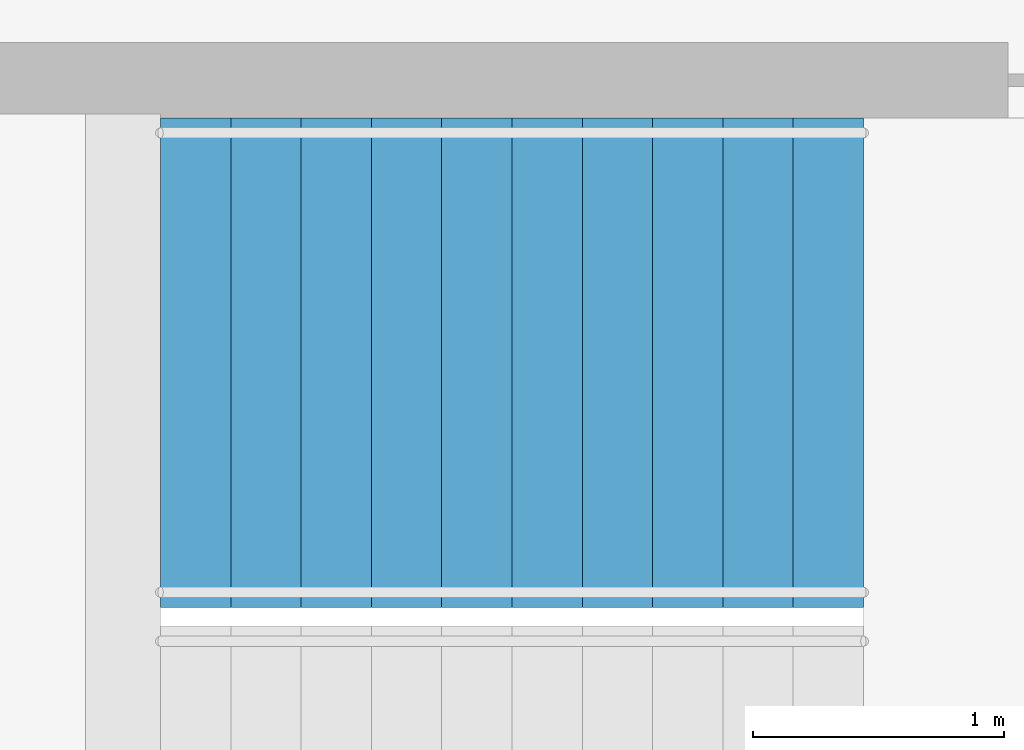
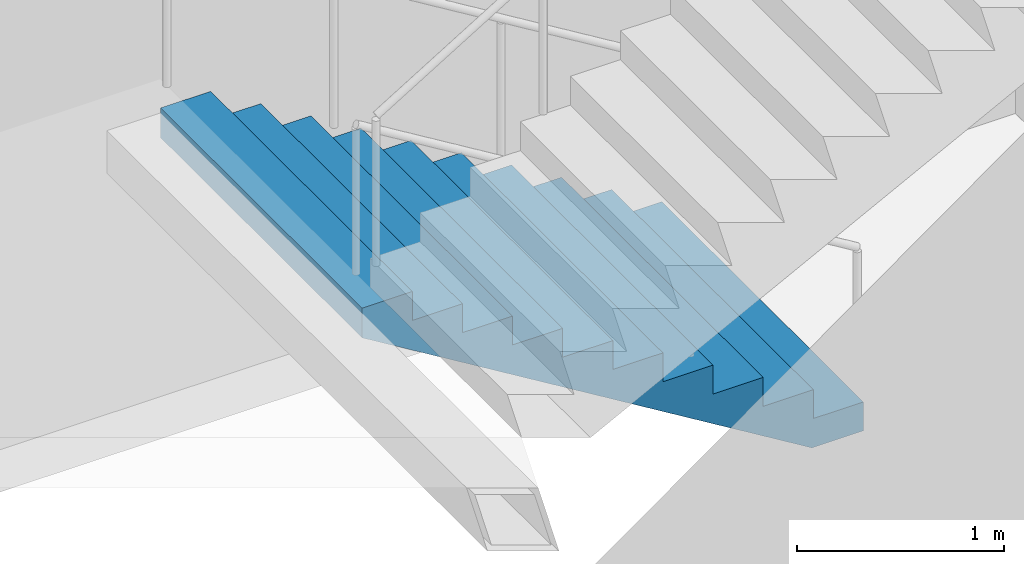
# One storey, part 20 of 21: 1 stair flight, 1 element without a shape of its own.
"""IFC4 building model written with IfcOpenShell, lengths in metres."""

import ifcopenshell
import ifcopenshell.guid

model = None  # the IFC model being written
_history = None  # IfcOwnerHistory: only IFC2X3 demands one
_inside = {}  # id of a spatial element -> (the spatial element, [elements in it])
_under = {}  # id of a project, library or spatial element -> (it, [spatial elements below it])
_declared = {}  # id of a project -> (the project, [libraries it declares])
_typed = {}  # id of a type object -> (the type object, [elements of that type])
_made_of = {}  # id of a material, layer set ... -> (it, [elements and type objects made of it])


def new_model(schema):
    """Start an empty IFC model of exactly this schema.

    Asked for "IFC4X3", IfcOpenShell would pick the latest addendum, in which some entities
    have other attributes; the version numbers below select the first issue.
    IFC2X3 requires an IfcOwnerHistory on every rooted entity: one is made here for all.
    """
    global model, _history
    if schema == "IFC4X3":
        model = ifcopenshell.file(schema_version=(4, 3, 0, 0))
    else:
        model = ifcopenshell.file(schema=schema)
    _inside.clear()
    _under.clear()
    _declared.clear()
    _typed.clear()
    _made_of.clear()
    _history = None
    if model.schema == "IFC2X3":
        org = make("IfcOrganization", Name="unknown")
        user = make(
            "IfcPersonAndOrganization",
            ThePerson=make("IfcPerson", FamilyName="unknown"),
            TheOrganization=org,
        )
        app = make(
            "IfcApplication",
            ApplicationDeveloper=org,
            Version="unknown",
            ApplicationFullName="unknown",
            ApplicationIdentifier="unknown",
        )
        _history = make(
            "IfcOwnerHistory",
            OwningUser=user,
            OwningApplication=app,
            ChangeAction="ADDED",
            CreationDate=0,
        )
    return model


def make(cls, **values):
    """One entity of the class cls with the attributes given. An attribute that is None is left unset."""
    return model.create_entity(
        cls, **{name: value for name, value in values.items() if value is not None}
    )


def rooted(cls, **values):
    """An entity with a GlobalId (a new one), such as an element, a storey or a relation."""
    return make(cls, GlobalId=ifcopenshell.guid.new(), OwnerHistory=_history, **values)


def si_unit(unit_type, name, prefix=None):
    """IfcSIUnit, for example si_unit("LENGTHUNIT", "METRE", prefix="MILLI")."""
    return make("IfcSIUnit", UnitType=unit_type, Prefix=prefix, Name=name)


def assignment(units):
    """IfcUnitAssignment: the units of a project."""
    return None if units is None else make("IfcUnitAssignment", Units=units)


def point(xyz):
    """IfcCartesianPoint."""
    return None if xyz is None else make("IfcCartesianPoint", Coordinates=xyz)


def direction(xyz):
    """IfcDirection."""
    return None if xyz is None else make("IfcDirection", DirectionRatios=xyz)


def frame(location, z_axis=None, x_axis=None):
    """IfcAxis2Placement3D, a coordinate frame: its origin and axes. An axis left out is left unset."""
    return make(
        "IfcAxis2Placement3D",
        Location=point(location),
        Axis=direction(z_axis),
        RefDirection=direction(x_axis),
    )


def origin():
    """The frame at (0, 0, 0) with its axes left unset."""
    return frame((0.0, 0.0, 0.0))


def place(relative_to, where):
    """IfcLocalPlacement: puts the frame where relative to a parent placement (None: the world)."""
    return make(
        "IfcLocalPlacement", PlacementRelTo=relative_to, RelativePlacement=where
    )


def context(
    kind, dimensions, precision=None, world=None, true_north=None, identifier=None
):
    """IfcGeometricRepresentationContext, for example the 3D "Model" context."""
    return make(
        "IfcGeometricRepresentationContext",
        ContextIdentifier=identifier,
        ContextType=kind,
        CoordinateSpaceDimension=dimensions,
        Precision=precision,
        WorldCoordinateSystem=world,
        TrueNorth=true_north,
    )


def subcontext(parent, identifier, kind, view, scale=None):
    """IfcGeometricRepresentationSubContext, for example "Body" below "Model"."""
    return make(
        "IfcGeometricRepresentationSubContext",
        ContextIdentifier=identifier,
        ContextType=kind,
        ParentContext=parent,
        TargetScale=scale,
        TargetView=view,
    )


def project(units=None, contexts=None):
    """IfcProject with its units and contexts."""
    return rooted(
        "IfcProject",
        Name="project",
        RepresentationContexts=contexts,
        UnitsInContext=assignment(units),
    )


def spatial(cls, under=None, at=None, **own):
    """A site, building, storey or space (cls), placed at a placement, below another one or the project."""
    s = rooted(cls, ObjectPlacement=at, **own)
    if under is not None:
        _under.setdefault(under.id(), (under, []))[1].append(s)
    return s


def point_list(points):
    """IfcCartesianPointList2D or 3D."""
    cls = (
        "IfcCartesianPointList2D" if len(points[0]) == 2 else "IfcCartesianPointList3D"
    )
    return make(cls, CoordList=points)


def triangles(points, corners, closed=None, point_numbers=None):
    """IfcTriangulatedFaceSet: each triangle names its three corners, points numbered from 1."""
    return make(
        "IfcTriangulatedFaceSet",
        Coordinates=point_list(points),
        Closed=closed,
        CoordIndex=corners,
        PnIndex=point_numbers,
    )


def shape(context_of_items, identifier, shape_type, items):
    """IfcShapeRepresentation: the items that make up one representation, for example the "Body"."""
    return make(
        "IfcShapeRepresentation",
        ContextOfItems=context_of_items,
        RepresentationIdentifier=identifier,
        RepresentationType=shape_type,
        Items=items,
    )


def material(Name=None, Category=None):
    """IfcMaterial."""
    return make("IfcMaterial", Name=Name, Category=Category)


def made_of(thing, what):
    """Note that an element or type object is made of a material, layer set ...; save() writes the relation."""
    if what is not None:
        _made_of.setdefault(what.id(), (what, []))[1].append(thing)
    return thing


def type_object(cls, material=None, **own):
    """A type object (cls), such as IfcWallType, which elements share."""
    return made_of(rooted(cls, **own), material)


def element(
    cls,
    number,
    at=None,
    inside=None,
    cuts=None,
    type_object=None,
    material=None,
    context=None,
    identifier="Body",
    shape_type=None,
    held_by="IfcProductDefinitionShape",
    body=None,
    shapes=None,
    **own,
):
    """One element of the class cls, such as IfcWall. Its Tag is "e" and its number.

    at: its placement. inside: the storey or other place that contains it. cuts: it is an
    opening in that element (IfcRelVoidsElement). A single representation is given by context,
    identifier, shape_type and body (its items); several are given by shapes. held_by: the class
    of the entity that holds the representations. save() writes the other relations.
    """
    e = rooted(cls, Tag="e%d" % number, ObjectPlacement=at, **own)
    if body is not None:
        shapes = [shape(context, identifier, shape_type, body)]
    if shapes is not None:
        e.Representation = make(held_by, Representations=shapes)
    if inside is not None:
        _inside.setdefault(inside.id(), (inside, []))[1].append(e)
    if cuts is not None:
        rooted(
            "IfcRelVoidsElement", RelatingBuildingElement=cuts, RelatedOpeningElement=e
        )
    if type_object is not None:
        _typed.setdefault(type_object.id(), (type_object, []))[1].append(e)
    return made_of(e, material)


def aggregate(whole, parts):
    """IfcRelAggregates: a whole, such as a stair, and the parts it consists of."""
    return rooted("IfcRelAggregates", RelatingObject=whole, RelatedObjects=parts)


def save(model, path):
    """Write the relations noted so far, then the file.

    IfcRelAggregates (storeys below a building ...), IfcRelContainedInSpatialStructure (elements
    in a storey), IfcRelDefinesByType, IfcRelAssociatesMaterial and IfcRelDeclares: one each for
    every whole, place, type object, material and project.
    """
    for whole, parts in _under.values():
        aggregate(whole, parts)
    for where, things in _inside.values():
        rooted(
            "IfcRelContainedInSpatialStructure",
            RelatedElements=things,
            RelatingStructure=where,
        )
    for kind, things in _typed.values():
        rooted("IfcRelDefinesByType", RelatedObjects=things, RelatingType=kind)
    for what, things in _made_of.values():
        rooted("IfcRelAssociatesMaterial", RelatedObjects=things, RelatingMaterial=what)
    for by, libraries in _declared.values():
        rooted("IfcRelDeclares", RelatingContext=by, RelatedDefinitions=libraries)
    model.write(path)


model = new_model("IFC4")

# Units and contexts
model_context = context("Model", 3, precision=1e-05, world=origin(), true_north=direction((0.0, 1.0)))
body_context = subcontext(model_context, "Body", "Model", "MODEL_VIEW")
ifc_project = project(units=[si_unit("LENGTHUNIT", "METRE"), si_unit("AREAUNIT", "SQUARE_METRE"), si_unit("VOLUMEUNIT", "CUBIC_METRE"), si_unit("PLANEANGLEUNIT", "RADIAN"), si_unit("MASSUNIT", "GRAM", prefix="KILO")], contexts=[model_context])

# Site, building, storey
site_placement = place(None, origin())
site = spatial("IfcSite", under=ifc_project, at=site_placement, CompositionType="ELEMENT")
building_placement = place(site_placement, origin())
building = spatial("IfcBuilding", under=site, at=building_placement, Name="Orbita Commons", CompositionType="ELEMENT")
storey_placement = place(building_placement, frame((0.0, 0.0, 103.14990234375)))
storey = spatial("IfcBuildingStorey", under=building, at=storey_placement, Name="L25", CompositionType="ELEMENT", Elevation=103.14990234375)

# Stair, stair flight
ifc_material_1 = material(Name="Precast concrete C40/50", Category="concrete")
stair_type = type_object("IfcStairType", Name="Exit stair S2 2 flights 11 risers 170", PredefinedType="HALF_TURN_STAIR", material=ifc_material_1)
stair_placement = place(storey_placement, origin())
stair = element("IfcStair", 1, at=stair_placement, inside=storey, type_object=stair_type, Name="Exit stair S2 L25", PredefinedType="HALF_TURN_STAIR")
ifc_material_2 = material(Name="Precast concrete C40/50", Category="concrete")
stair_flight_type = type_object("IfcStairFlightType", Name="Stair flight 11 risers 170 x 280", PredefinedType="STRAIGHT", material=ifc_material_2)
stair_flight_placement = place(storey_placement, frame((63.550048828125, 29.27490234375, 0.0), z_axis=(0.0, 0.0, 1.0), x_axis=(-1.0, 0.0, 0.0)))
stair_flight = element("IfcStairFlight", 2, at=stair_flight_placement, type_object=stair_flight_type, Name="S2 flight 1", NumberOfRisers=11, NumberOfTreads=10, PredefinedType="STRAIGHT", RiserHeight=0.170454545, TreadLength=0.28, context=body_context, shape_type="Tessellation", body=[
    triangles([(0.0, 0.974976, 0.0), (0.0, 0.974976, 0.021307), (0.0, 0.81248, 0.021307), (0.0, 0.81248, 0.0), (0.0, 0.649984, 0.021307), (0.0, 0.649984, 0.0), (0.0, 0.487488, 0.021307), (0.0, 0.487488, 0.0), (0.0, 0.324992, 0.021307), (0.0, 0.324992, 0.0), (0.0, 0.162496, 0.021307), (0.0, 0.162496, 0.0), (0.0, 0.0, 0.021307), (0.0, 0.0, 0.0), (0.0, -0.162496, 0.021307), (0.0, -0.162496, 0.0), (0.0, -0.324992, 0.021307), (0.0, -0.324992, 0.0), (0.0, -0.487488, 0.021307), (0.0, -0.487488, 0.0), (0.0, -0.649984, 0.021307), (0.0, -0.649984, 0.0), (0.0, -0.81248, 0.021307), (0.0, -0.81248, 0.0), (0.0, -0.974976, 0.021307), (0.0, -0.974976, 0.0), (0.0, 0.974976, 0.042614), (0.0, 0.81248, 0.042614), (0.0, 0.649984, 0.042614), (0.0, 0.487488, 0.042614), (0.0, 0.324992, 0.042614), (0.0, 0.162496, 0.042614), (0.0, 0.0, 0.042614), (0.0, -0.162496, 0.042614), (0.0, -0.324992, 0.042614), (0.0, -0.487488, 0.042614), (0.0, -0.649984, 0.042614), (0.0, -0.81248, 0.042614), (0.0, -0.974976, 0.042614), (0.0, 0.974976, 0.06392), (0.0, 0.81248, 0.06392), (0.0, 0.649984, 0.06392), (0.0, 0.487488, 0.06392), (0.0, 0.324992, 0.06392), (0.0, 0.162496, 0.06392), (0.0, 0.0, 0.06392), (0.0, -0.162496, 0.06392), (0.0, -0.324992, 0.06392), (0.0, -0.487488, 0.06392), (0.0, -0.649984, 0.06392), (0.0, -0.81248, 0.06392), (0.0, -0.974976, 0.06392), (0.0, 0.974976, 0.085227), (0.0, 0.81248, 0.085227), (0.0, 0.649984, 0.085227), (0.0, 0.487488, 0.085227), (0.0, 0.324992, 0.085227), (0.0, 0.162496, 0.085227), (0.0, 0.0, 0.085227), (0.0, -0.162496, 0.085227), (0.0, -0.324992, 0.085227), (0.0, -0.487488, 0.085227), (0.0, -0.649984, 0.085227), (0.0, -0.81248, 0.085227), (0.0, -0.974976, 0.085227), (0.0, 0.974976, 0.106534), (0.0, 0.81248, 0.106534), (0.0, 0.649984, 0.106534), (0.0, 0.487488, 0.106534), (0.0, 0.324992, 0.106534), (0.0, 0.162496, 0.106534), (0.0, 0.0, 0.106534), (0.0, -0.162496, 0.106534), (0.0, -0.324992, 0.106534), (0.0, -0.487488, 0.106534), (0.0, -0.649984, 0.106534), (0.0, -0.81248, 0.106534), (0.0, -0.974976, 0.106534), (0.0, 0.974976, 0.127841), (0.0, 0.81248, 0.127841), (0.0, 0.649984, 0.127841), (0.0, 0.487488, 0.127841), (0.0, 0.324992, 0.127841), (0.0, 0.162496, 0.127841), (0.0, 0.0, 0.127841), (0.0, -0.162496, 0.127841), (0.0, -0.324992, 0.127841), (0.0, -0.487488, 0.127841), (0.0, -0.649984, 0.127841), (0.0, -0.81248, 0.127841), (0.0, -0.974976, 0.127841), (0.0, 0.974976, 0.149148), (0.0, 0.81248, 0.149148), (0.0, 0.649984, 0.149148), (0.0, 0.487488, 0.149148), (0.0, 0.324992, 0.149148), (0.0, 0.162496, 0.149148), (0.0, 0.0, 0.149148), (0.0, -0.162496, 0.149148), (0.0, -0.324992, 0.149148), (0.0, -0.487488, 0.149148), (0.0, -0.649984, 0.149148), (0.0, -0.81248, 0.149148), (0.0, -0.974976, 0.149148), (0.0, 0.974976, 0.170455), (0.0, 0.81248, 0.170455), (0.0, 0.649984, 0.170455), (0.0, 0.487488, 0.170455), (0.0, 0.324992, 0.170455), (0.0, 0.162496, 0.170455), (0.0, 0.0, 0.170455), (0.0, -0.162496, 0.170455), (0.0, -0.324992, 0.170455), (0.0, -0.487488, 0.170455), (0.0, -0.649984, 0.170455), (0.0, -0.81248, 0.170455), (0.0, -0.974976, 0.170455), (0.28, 0.974976, 0.170455), (0.28, 0.81248, 0.170455), (0.28, 0.649984, 0.170455), (0.28, 0.487488, 0.170455), (0.28, 0.324992, 0.170455), (0.28, 0.162496, 0.170455), (0.28, 0.0, 0.170455), (0.28, -0.162496, 0.170455), (0.28, -0.324992, 0.170455), (0.28, -0.487488, 0.170455), (0.28, -0.649984, 0.170455), (0.28, -0.81248, 0.170455), (0.28, -0.974976, 0.170455), (0.28, 0.974976, 0.340909), (0.28, 0.81248, 0.340909), (0.28, 0.649984, 0.340909), (0.28, 0.487488, 0.340909), (0.28, 0.324992, 0.340909), (0.28, 0.162496, 0.340909), (0.28, 0.0, 0.340909), (0.28, -0.162496, 0.340909), (0.28, -0.324992, 0.340909), (0.28, -0.487488, 0.340909), (0.28, -0.649984, 0.340909), (0.28, -0.81248, 0.340909), (0.28, -0.974976, 0.340909), (0.56, 0.974976, 0.340909), (0.56, 0.81248, 0.340909), (0.56, 0.649984, 0.340909), (0.56, 0.487488, 0.340909), (0.56, 0.324992, 0.340909), (0.56, 0.162496, 0.340909), (0.56, 0.0, 0.340909), (0.56, -0.162496, 0.340909), (0.56, -0.324992, 0.340909), (0.56, -0.487488, 0.340909), (0.56, -0.649984, 0.340909), (0.56, -0.81248, 0.340909), (0.56, -0.974976, 0.340909), (0.56, 0.974976, 0.511364), (0.56, 0.81248, 0.511364), (0.56, 0.649984, 0.511364), (0.56, 0.487488, 0.511364), (0.56, 0.324992, 0.511364), (0.56, 0.162496, 0.511364), (0.56, 0.0, 0.511364), (0.56, -0.162496, 0.511364), (0.56, -0.324992, 0.511364), (0.56, -0.487488, 0.511364), (0.56, -0.649984, 0.511364), (0.56, -0.81248, 0.511364), (0.56, -0.974976, 0.511364), (0.84, 0.974976, 0.511364), (0.84, 0.81248, 0.511364), (0.84, 0.649984, 0.511364), (0.84, 0.487488, 0.511364), (0.84, 0.324992, 0.511364), (0.84, 0.162496, 0.511364), (0.84, 0.0, 0.511364), (0.84, -0.162496, 0.511364), (0.84, -0.324992, 0.511364), (0.84, -0.487488, 0.511364), (0.84, -0.649984, 0.511364), (0.84, -0.81248, 0.511364), (0.84, -0.974976, 0.511364), (0.84, 0.974976, 0.681818), (0.84, 0.81248, 0.681818), (0.84, 0.649984, 0.681818), (0.84, 0.487488, 0.681818), (0.84, 0.324992, 0.681818), (0.84, 0.162496, 0.681818), (0.84, 0.0, 0.681818), (0.84, -0.162496, 0.681818), (0.84, -0.324992, 0.681818), (0.84, -0.487488, 0.681818), (0.84, -0.649984, 0.681818), (0.84, -0.81248, 0.681818), (0.84, -0.974976, 0.681818), (1.12, 0.974976, 0.681818), (1.12, 0.81248, 0.681818), (1.12, 0.649984, 0.681818), (1.12, 0.487488, 0.681818), (1.12, 0.324992, 0.681818), (1.12, 0.162496, 0.681818), (1.12, 0.0, 0.681818), (1.12, -0.162496, 0.681818), (1.12, -0.324992, 0.681818), (1.12, -0.487488, 0.681818), (1.12, -0.649984, 0.681818), (1.12, -0.81248, 0.681818), (1.12, -0.974976, 0.681818), (1.12, 0.974976, 0.852273), (1.12, 0.81248, 0.852273), (1.12, 0.649984, 0.852273), (1.12, 0.487488, 0.852273), (1.12, 0.324992, 0.852273), (1.12, 0.162496, 0.852273), (1.12, 0.0, 0.852273), (1.12, -0.162496, 0.852273), (1.12, -0.324992, 0.852273), (1.12, -0.487488, 0.852273), (1.12, -0.649984, 0.852273), (1.12, -0.81248, 0.852273), (1.12, -0.974976, 0.852273), (1.4, 0.974976, 0.852273), (1.4, 0.81248, 0.852273), (1.4, 0.649984, 0.852273), (1.4, 0.487488, 0.852273), (1.4, 0.324992, 0.852273), (1.4, 0.162496, 0.852273), (1.4, 0.0, 0.852273), (1.4, -0.162496, 0.852273), (1.4, -0.324992, 0.852273), (1.4, -0.487488, 0.852273), (1.4, -0.649984, 0.852273), (1.4, -0.81248, 0.852273), (1.4, -0.974976, 0.852273), (1.4, 0.974976, 1.022727), (1.4, 0.81248, 1.022727), (1.4, 0.649984, 1.022727), (1.4, 0.487488, 1.022727), (1.4, 0.324992, 1.022727), (1.4, 0.162496, 1.022727), (1.4, 0.0, 1.022727), (1.4, -0.162496, 1.022727), (1.4, -0.324992, 1.022727), (1.4, -0.487488, 1.022727), (1.4, -0.649984, 1.022727), (1.4, -0.81248, 1.022727), (1.4, -0.974976, 1.022727), (1.68, 0.974976, 1.022727), (1.68, 0.81248, 1.022727), (1.68, 0.649984, 1.022727), (1.68, 0.487488, 1.022727), (1.68, 0.324992, 1.022727), (1.68, 0.162496, 1.022727), (1.68, 0.0, 1.022727), (1.68, -0.162496, 1.022727), (1.68, -0.324992, 1.022727), (1.68, -0.487488, 1.022727), (1.68, -0.649984, 1.022727), (1.68, -0.81248, 1.022727), (1.68, -0.974976, 1.022727), (1.68, 0.974976, 1.193182), (1.68, 0.81248, 1.193182), (1.68, 0.649984, 1.193182), (1.68, 0.487488, 1.193182), (1.68, 0.324992, 1.193182), (1.68, 0.162496, 1.193182), (1.68, 0.0, 1.193182), (1.68, -0.162496, 1.193182), (1.68, -0.324992, 1.193182), (1.68, -0.487488, 1.193182), (1.68, -0.649984, 1.193182), (1.68, -0.81248, 1.193182), (1.68, -0.974976, 1.193182), (1.96, 0.974976, 1.193182), (1.96, 0.81248, 1.193182), (1.96, 0.649984, 1.193182), (1.96, 0.487488, 1.193182), (1.96, 0.324992, 1.193182), (1.96, 0.162496, 1.193182), (1.96, 0.0, 1.193182), (1.96, -0.162496, 1.193182), (1.96, -0.324992, 1.193182), (1.96, -0.487488, 1.193182), (1.96, -0.649984, 1.193182), (1.96, -0.81248, 1.193182), (1.96, -0.974976, 1.193182), (1.96, 0.974976, 1.363636), (1.96, 0.81248, 1.363636), (1.96, 0.649984, 1.363636), (1.96, 0.487488, 1.363636), (1.96, 0.324992, 1.363636), (1.96, 0.162496, 1.363636), (1.96, 0.0, 1.363636), (1.96, -0.162496, 1.363636), (1.96, -0.324992, 1.363636), (1.96, -0.487488, 1.363636), (1.96, -0.649984, 1.363636), (1.96, -0.81248, 1.363636), (1.96, -0.974976, 1.363636), (2.24, 0.974976, 1.363636), (2.24, 0.81248, 1.363636), (2.24, 0.649984, 1.363636), (2.24, 0.487488, 1.363636), (2.24, 0.324992, 1.363636), (2.24, 0.162496, 1.363636), (2.24, 0.0, 1.363636), (2.24, -0.162496, 1.363636), (2.24, -0.324992, 1.363636), (2.24, -0.487488, 1.363636), (2.24, -0.649984, 1.363636), (2.24, -0.81248, 1.363636), (2.24, -0.974976, 1.363636), (2.24, 0.974976, 1.534091), (2.24, 0.81248, 1.534091), (2.24, 0.649984, 1.534091), (2.24, 0.487488, 1.534091), (2.24, 0.324992, 1.534091), (2.24, 0.162496, 1.534091), (2.24, 0.0, 1.534091), (2.24, -0.162496, 1.534091), (2.24, -0.324992, 1.534091), (2.24, -0.487488, 1.534091), (2.24, -0.649984, 1.534091), (2.24, -0.81248, 1.534091), (2.24, -0.974976, 1.534091), (2.52, 0.974976, 1.534091), (2.52, 0.81248, 1.534091), (2.52, 0.649984, 1.534091), (2.52, 0.487488, 1.534091), (2.52, 0.324992, 1.534091), (2.52, 0.162496, 1.534091), (2.52, 0.0, 1.534091), (2.52, -0.162496, 1.534091), (2.52, -0.324992, 1.534091), (2.52, -0.487488, 1.534091), (2.52, -0.649984, 1.534091), (2.52, -0.81248, 1.534091), (2.52, -0.974976, 1.534091), (2.52, 0.974976, 1.704545), (2.52, 0.81248, 1.704545), (2.52, 0.649984, 1.704545), (2.52, 0.487488, 1.704545), (2.52, 0.324992, 1.704545), (2.52, 0.162496, 1.704545), (2.52, 0.0, 1.704545), (2.52, -0.162496, 1.704545), (2.52, -0.324992, 1.704545), (2.52, -0.487488, 1.704545), (2.52, -0.649984, 1.704545), (2.52, -0.81248, 1.704545), (2.52, -0.974976, 1.704545), (2.8, 0.974976, 1.704545), (2.8, 0.81248, 1.704545), (2.8, 0.649984, 1.704545), (2.8, 0.487488, 1.704545), (2.8, 0.324992, 1.704545), (2.8, 0.162496, 1.704545), (2.8, 0.0, 1.704545), (2.8, -0.162496, 1.704545), (2.8, -0.324992, 1.704545), (2.8, -0.487488, 1.704545), (2.8, -0.649984, 1.704545), (2.8, -0.81248, 1.704545), (2.8, -0.974976, 1.704545), (2.8, 0.974976, 1.682609), (2.8, 0.81248, 1.682609), (2.8, 0.649984, 1.682609), (2.8, 0.487488, 1.682609), (2.8, 0.324992, 1.682609), (2.8, 0.162496, 1.682609), (2.8, 0.0, 1.682609), (2.8, -0.162496, 1.682609), (2.8, -0.324992, 1.682609), (2.8, -0.487488, 1.682609), (2.8, -0.649984, 1.682609), (2.8, -0.81248, 1.682609), (2.8, -0.974976, 1.682609), (2.8, 0.974976, 1.660672), (2.8, 0.81248, 1.660672), (2.8, 0.649984, 1.660672), (2.8, 0.487488, 1.660672), (2.8, 0.324992, 1.660672), (2.8, 0.162496, 1.660672), (2.8, 0.0, 1.660672), (2.8, -0.162496, 1.660672), (2.8, -0.324992, 1.660672), (2.8, -0.487488, 1.660672), (2.8, -0.649984, 1.660672), (2.8, -0.81248, 1.660672), (2.8, -0.974976, 1.660672), (2.8, 0.974976, 1.638735), (2.8, 0.81248, 1.638735), (2.8, 0.649984, 1.638735), (2.8, 0.487488, 1.638735), (2.8, 0.324992, 1.638735), (2.8, 0.162496, 1.638735), (2.8, 0.0, 1.638735), (2.8, -0.162496, 1.638735), (2.8, -0.324992, 1.638735), (2.8, -0.487488, 1.638735), (2.8, -0.649984, 1.638735), (2.8, -0.81248, 1.638735), (2.8, -0.974976, 1.638735), (2.8, 0.974976, 1.616798), (2.8, 0.81248, 1.616798), (2.8, 0.649984, 1.616798), (2.8, 0.487488, 1.616798), (2.8, 0.324992, 1.616798), (2.8, 0.162496, 1.616798), (2.8, 0.0, 1.616798), (2.8, -0.162496, 1.616798), (2.8, -0.324992, 1.616798), (2.8, -0.487488, 1.616798), (2.8, -0.649984, 1.616798), (2.8, -0.81248, 1.616798), (2.8, -0.974976, 1.616798), (2.8, 0.974976, 1.594861), (2.8, 0.81248, 1.594861), (2.8, 0.649984, 1.594861), (2.8, 0.487488, 1.594861), (2.8, 0.324992, 1.594861), (2.8, 0.162496, 1.594861), (2.8, 0.0, 1.594861), (2.8, -0.162496, 1.594861), (2.8, -0.324992, 1.594861), (2.8, -0.487488, 1.594861), (2.8, -0.649984, 1.594861), (2.8, -0.81248, 1.594861), (2.8, -0.974976, 1.594861), (2.8, 0.974976, 1.572925), (2.8, 0.81248, 1.572925), (2.8, 0.649984, 1.572925), (2.8, 0.487488, 1.572925), (2.8, 0.324992, 1.572925), (2.8, 0.162496, 1.572925), (2.8, 0.0, 1.572925), (2.8, -0.162496, 1.572925), (2.8, -0.324992, 1.572925), (2.8, -0.487488, 1.572925), (2.8, -0.649984, 1.572925), (2.8, -0.81248, 1.572925), (2.8, -0.974976, 1.572925), (2.8, 0.974976, 1.550988), (2.8, 0.81248, 1.550988), (2.8, 0.649984, 1.550988), (2.8, 0.487488, 1.550988), (2.8, 0.324992, 1.550988), (2.8, 0.162496, 1.550988), (2.8, 0.0, 1.550988), (2.8, -0.162496, 1.550988), (2.8, -0.324992, 1.550988), (2.8, -0.487488, 1.550988), (2.8, -0.649984, 1.550988), (2.8, -0.81248, 1.550988), (2.8, -0.974976, 1.550988), (2.8, 0.974976, 1.529051), (2.8, 0.81248, 1.529051), (2.8, 0.649984, 1.529051), (2.8, 0.487488, 1.529051), (2.8, 0.324992, 1.529051), (2.8, 0.162496, 1.529051), (2.8, 0.0, 1.529051), (2.8, -0.162496, 1.529051), (2.8, -0.324992, 1.529051), (2.8, -0.487488, 1.529051), (2.8, -0.649984, 1.529051), (2.8, -0.81248, 1.529051), (2.8, -0.974976, 1.529051), (0.288279, 0.974976, 0.0), (0.288279, 0.81248, 0.0), (0.288279, 0.649984, 0.0), (0.288279, 0.487488, 0.0), (0.288279, 0.324992, 0.0), (0.288279, 0.162496, 0.0), (0.288279, 0.0, 0.0), (0.288279, -0.162496, 0.0), (0.288279, -0.324992, 0.0), (0.288279, -0.487488, 0.0), (0.288279, -0.649984, 0.0), (0.288279, -0.81248, 0.0), (0.288279, -0.974976, 0.0)], [[3, 2, 1], [4, 3, 1], [5, 3, 4], [6, 5, 4], [7, 5, 6], [8, 7, 6], [9, 7, 8], [10, 9, 8], [11, 9, 10], [12, 11, 10], [13, 11, 12], [14, 13, 12], [15, 13, 14], [16, 15, 14], [17, 15, 16], [18, 17, 16], [19, 17, 18], [20, 19, 18], [21, 19, 20], [22, 21, 20], [23, 21, 22], [24, 23, 22], [25, 23, 24], [26, 25, 24], [28, 27, 2], [3, 28, 2], [29, 28, 3], [5, 29, 3], [30, 29, 5], [7, 30, 5], [31, 30, 7], [9, 31, 7], [32, 31, 9], [11, 32, 9], [33, 32, 11], [13, 33, 11], [34, 33, 13], [15, 34, 13], [35, 34, 15], [17, 35, 15], [36, 35, 17], [19, 36, 17], [37, 36, 19], [21, 37, 19], [38, 37, 21], [23, 38, 21], [39, 38, 23], [25, 39, 23], [41, 40, 27], [28, 41, 27], [42, 41, 28], [29, 42, 28], [43, 42, 29], [30, 43, 29], [44, 43, 30], [31, 44, 30], [45, 44, 31], [32, 45, 31], [46, 45, 32], [33, 46, 32], [47, 46, 33], [34, 47, 33], [48, 47, 34], [35, 48, 34], [49, 48, 35], [36, 49, 35], [50, 49, 36], [37, 50, 36], [51, 50, 37], [38, 51, 37], [52, 51, 38], [39, 52, 38], [54, 53, 40], [41, 54, 40], [55, 54, 41], [42, 55, 41], [56, 55, 42], [43, 56, 42], [57, 56, 43], [44, 57, 43], [58, 57, 44], [45, 58, 44], [59, 58, 45], [46, 59, 45], [60, 59, 46], [47, 60, 46], [61, 60, 47], [48, 61, 47], [62, 61, 48], [49, 62, 48], [63, 62, 49], [50, 63, 49], [64, 63, 50], [51, 64, 50], [65, 64, 51], [52, 65, 51], [67, 66, 53], [54, 67, 53], [68, 67, 54], [55, 68, 54], [69, 68, 55], [56, 69, 55], [70, 69, 56], [57, 70, 56], [71, 70, 57], [58, 71, 57], [72, 71, 58], [59, 72, 58], [73, 72, 59], [60, 73, 59], [74, 73, 60], [61, 74, 60], [75, 74, 61], [62, 75, 61], [76, 75, 62], [63, 76, 62], [77, 76, 63], [64, 77, 63], [78, 77, 64], [65, 78, 64], [80, 79, 66], [67, 80, 66], [81, 80, 67], [68, 81, 67], [82, 81, 68], [69, 82, 68], [83, 82, 69], [70, 83, 69], [84, 83, 70], [71, 84, 70], [85, 84, 71], [72, 85, 71], [86, 85, 72], [73, 86, 72], [87, 86, 73], [74, 87, 73], [88, 87, 74], [75, 88, 74], [89, 88, 75], [76, 89, 75], [90, 89, 76], [77, 90, 76], [91, 90, 77], [78, 91, 77], [93, 92, 79], [80, 93, 79], [94, 93, 80], [81, 94, 80], [95, 94, 81], [82, 95, 81], [96, 95, 82], [83, 96, 82], [97, 96, 83], [84, 97, 83], [98, 97, 84], [85, 98, 84], [99, 98, 85], [86, 99, 85], [100, 99, 86], [87, 100, 86], [101, 100, 87], [88, 101, 87], [102, 101, 88], [89, 102, 88], [103, 102, 89], [90, 103, 89], [104, 103, 90], [91, 104, 90], [106, 105, 92], [93, 106, 92], [107, 106, 93], [94, 107, 93], [108, 107, 94], [95, 108, 94], [109, 108, 95], [96, 109, 95], [110, 109, 96], [97, 110, 96], [111, 110, 97], [98, 111, 97], [112, 111, 98], [99, 112, 98], [113, 112, 99], [100, 113, 99], [114, 113, 100], [101, 114, 100], [115, 114, 101], [102, 115, 101], [116, 115, 102], [103, 116, 102], [117, 116, 103], [104, 117, 103], [119, 118, 105], [106, 119, 105], [120, 119, 106], [107, 120, 106], [121, 120, 107], [108, 121, 107], [122, 121, 108], [109, 122, 108], [123, 122, 109], [110, 123, 109], [124, 123, 110], [111, 124, 110], [125, 124, 111], [112, 125, 111], [126, 125, 112], [113, 126, 112], [127, 126, 113], [114, 127, 113], [128, 127, 114], [115, 128, 114], [129, 128, 115], [116, 129, 115], [130, 129, 116], [117, 130, 116], [132, 131, 118], [119, 132, 118], [133, 132, 119], [120, 133, 119], [134, 133, 120], [121, 134, 120], [135, 134, 121], [122, 135, 121], [136, 135, 122], [123, 136, 122], [137, 136, 123], [124, 137, 123], [138, 137, 124], [125, 138, 124], [139, 138, 125], [126, 139, 125], [140, 139, 126], [127, 140, 126], [141, 140, 127], [128, 141, 127], [142, 141, 128], [129, 142, 128], [143, 142, 129], [130, 143, 129], [145, 144, 131], [132, 145, 131], [146, 145, 132], [133, 146, 132], [147, 146, 133], [134, 147, 133], [148, 147, 134], [135, 148, 134], [149, 148, 135], [136, 149, 135], [150, 149, 136], [137, 150, 136], [151, 150, 137], [138, 151, 137], [152, 151, 138], [139, 152, 138], [153, 152, 139], [140, 153, 139], [154, 153, 140], [141, 154, 140], [155, 154, 141], [142, 155, 141], [156, 155, 142], [143, 156, 142], [158, 157, 144], [145, 158, 144], [159, 158, 145], [146, 159, 145], [160, 159, 146], [147, 160, 146], [161, 160, 147], [148, 161, 147], [162, 161, 148], [149, 162, 148], [163, 162, 149], [150, 163, 149], [164, 163, 150], [151, 164, 150], [165, 164, 151], [152, 165, 151], [166, 165, 152], [153, 166, 152], [167, 166, 153], [154, 167, 153], [168, 167, 154], [155, 168, 154], [169, 168, 155], [156, 169, 155], [171, 170, 157], [158, 171, 157], [172, 171, 158], [159, 172, 158], [173, 172, 159], [160, 173, 159], [174, 173, 160], [161, 174, 160], [175, 174, 161], [162, 175, 161], [176, 175, 162], [163, 176, 162], [177, 176, 163], [164, 177, 163], [178, 177, 164], [165, 178, 164], [179, 178, 165], [166, 179, 165], [180, 179, 166], [167, 180, 166], [181, 180, 167], [168, 181, 167], [182, 181, 168], [169, 182, 168], [184, 183, 170], [171, 184, 170], [185, 184, 171], [172, 185, 171], [186, 185, 172], [173, 186, 172], [187, 186, 173], [174, 187, 173], [188, 187, 174], [175, 188, 174], [189, 188, 175], [176, 189, 175], [190, 189, 176], [177, 190, 176], [191, 190, 177], [178, 191, 177], [192, 191, 178], [179, 192, 178], [193, 192, 179], [180, 193, 179], [194, 193, 180], [181, 194, 180], [195, 194, 181], [182, 195, 181], [197, 196, 183], [184, 197, 183], [198, 197, 184], [185, 198, 184], [199, 198, 185], [186, 199, 185], [200, 199, 186], [187, 200, 186], [201, 200, 187], [188, 201, 187], [202, 201, 188], [189, 202, 188], [203, 202, 189], [190, 203, 189], [204, 203, 190], [191, 204, 190], [205, 204, 191], [192, 205, 191], [206, 205, 192], [193, 206, 192], [207, 206, 193], [194, 207, 193], [208, 207, 194], [195, 208, 194], [210, 209, 196], [197, 210, 196], [211, 210, 197], [198, 211, 197], [212, 211, 198], [199, 212, 198], [213, 212, 199], [200, 213, 199], [214, 213, 200], [201, 214, 200], [215, 214, 201], [202, 215, 201], [216, 215, 202], [203, 216, 202], [217, 216, 203], [204, 217, 203], [218, 217, 204], [205, 218, 204], [219, 218, 205], [206, 219, 205], [220, 219, 206], [207, 220, 206], [221, 220, 207], [208, 221, 207], [223, 222, 209], [210, 223, 209], [224, 223, 210], [211, 224, 210], [225, 224, 211], [212, 225, 211], [226, 225, 212], [213, 226, 212], [227, 226, 213], [214, 227, 213], [228, 227, 214], [215, 228, 214], [229, 228, 215], [216, 229, 215], [230, 229, 216], [217, 230, 216], [231, 230, 217], [218, 231, 217], [232, 231, 218], [219, 232, 218], [233, 232, 219], [220, 233, 219], [234, 233, 220], [221, 234, 220], [236, 235, 222], [223, 236, 222], [237, 236, 223], [224, 237, 223], [238, 237, 224], [225, 238, 224], [239, 238, 225], [226, 239, 225], [240, 239, 226], [227, 240, 226], [241, 240, 227], [228, 241, 227], [242, 241, 228], [229, 242, 228], [243, 242, 229], [230, 243, 229], [244, 243, 230], [231, 244, 230], [245, 244, 231], [232, 245, 231], [246, 245, 232], [233, 246, 232], [247, 246, 233], [234, 247, 233], [249, 248, 235], [236, 249, 235], [250, 249, 236], [237, 250, 236], [251, 250, 237], [238, 251, 237], [252, 251, 238], [239, 252, 238], [253, 252, 239], [240, 253, 239], [254, 253, 240], [241, 254, 240], [255, 254, 241], [242, 255, 241], [256, 255, 242], [243, 256, 242], [257, 256, 243], [244, 257, 243], [258, 257, 244], [245, 258, 244], [259, 258, 245], [246, 259, 245], [260, 259, 246], [247, 260, 246], [262, 261, 248], [249, 262, 248], [263, 262, 249], [250, 263, 249], [264, 263, 250], [251, 264, 250], [265, 264, 251], [252, 265, 251], [266, 265, 252], [253, 266, 252], [267, 266, 253], [254, 267, 253], [268, 267, 254], [255, 268, 254], [269, 268, 255], [256, 269, 255], [270, 269, 256], [257, 270, 256], [271, 270, 257], [258, 271, 257], [272, 271, 258], [259, 272, 258], [273, 272, 259], [260, 273, 259], [275, 274, 261], [262, 275, 261], [276, 275, 262], [263, 276, 262], [277, 276, 263], [264, 277, 263], [278, 277, 264], [265, 278, 264], [279, 278, 265], [266, 279, 265], [280, 279, 266], [267, 280, 266], [281, 280, 267], [268, 281, 267], [282, 281, 268], [269, 282, 268], [283, 282, 269], [270, 283, 269], [284, 283, 270], [271, 284, 270], [285, 284, 271], [272, 285, 271], [286, 285, 272], [273, 286, 272], [288, 287, 274], [275, 288, 274], [289, 288, 275], [276, 289, 275], [290, 289, 276], [277, 290, 276], [291, 290, 277], [278, 291, 277], [292, 291, 278], [279, 292, 278], [293, 292, 279], [280, 293, 279], [294, 293, 280], [281, 294, 280], [295, 294, 281], [282, 295, 281], [296, 295, 282], [283, 296, 282], [297, 296, 283], [284, 297, 283], [298, 297, 284], [285, 298, 284], [299, 298, 285], [286, 299, 285], [301, 300, 287], [288, 301, 287], [302, 301, 288], [289, 302, 288], [303, 302, 289], [290, 303, 289], [304, 303, 290], [291, 304, 290], [305, 304, 291], [292, 305, 291], [306, 305, 292], [293, 306, 292], [307, 306, 293], [294, 307, 293], [308, 307, 294], [295, 308, 294], [309, 308, 295], [296, 309, 295], [310, 309, 296], [297, 310, 296], [311, 310, 297], [298, 311, 297], [312, 311, 298], [299, 312, 298], [314, 313, 300], [301, 314, 300], [315, 314, 301], [302, 315, 301], [316, 315, 302], [303, 316, 302], [317, 316, 303], [304, 317, 303], [318, 317, 304], [305, 318, 304], [319, 318, 305], [306, 319, 305], [320, 319, 306], [307, 320, 306], [321, 320, 307], [308, 321, 307], [322, 321, 308], [309, 322, 308], [323, 322, 309], [310, 323, 309], [324, 323, 310], [311, 324, 310], [325, 324, 311], [312, 325, 311], [327, 326, 313], [314, 327, 313], [328, 327, 314], [315, 328, 314], [329, 328, 315], [316, 329, 315], [330, 329, 316], [317, 330, 316], [331, 330, 317], [318, 331, 317], [332, 331, 318], [319, 332, 318], [333, 332, 319], [320, 333, 319], [334, 333, 320], [321, 334, 320], [335, 334, 321], [322, 335, 321], [336, 335, 322], [323, 336, 322], [337, 336, 323], [324, 337, 323], [338, 337, 324], [325, 338, 324], [340, 339, 326], [327, 340, 326], [341, 340, 327], [328, 341, 327], [342, 341, 328], [329, 342, 328], [343, 342, 329], [330, 343, 329], [344, 343, 330], [331, 344, 330], [345, 344, 331], [332, 345, 331], [346, 345, 332], [333, 346, 332], [347, 346, 333], [334, 347, 333], [348, 347, 334], [335, 348, 334], [349, 348, 335], [336, 349, 335], [350, 349, 336], [337, 350, 336], [351, 350, 337], [338, 351, 337], [353, 352, 339], [340, 353, 339], [354, 353, 340], [341, 354, 340], [355, 354, 341], [342, 355, 341], [356, 355, 342], [343, 356, 342], [357, 356, 343], [344, 357, 343], [358, 357, 344], [345, 358, 344], [359, 358, 345], [346, 359, 345], [360, 359, 346], [347, 360, 346], [361, 360, 347], [348, 361, 347], [362, 361, 348], [349, 362, 348], [363, 362, 349], [350, 363, 349], [364, 363, 350], [351, 364, 350], [366, 365, 352], [353, 366, 352], [367, 366, 353], [354, 367, 353], [368, 367, 354], [355, 368, 354], [369, 368, 355], [356, 369, 355], [370, 369, 356], [357, 370, 356], [371, 370, 357], [358, 371, 357], [372, 371, 358], [359, 372, 358], [373, 372, 359], [360, 373, 359], [374, 373, 360], [361, 374, 360], [375, 374, 361], [362, 375, 361], [376, 375, 362], [363, 376, 362], [377, 376, 363], [364, 377, 363], [379, 378, 365], [366, 379, 365], [380, 379, 366], [367, 380, 366], [381, 380, 367], [368, 381, 367], [382, 381, 368], [369, 382, 368], [383, 382, 369], [370, 383, 369], [384, 383, 370], [371, 384, 370], [385, 384, 371], [372, 385, 371], [386, 385, 372], [373, 386, 372], [387, 386, 373], [374, 387, 373], [388, 387, 374], [375, 388, 374], [389, 388, 375], [376, 389, 375], [390, 389, 376], [377, 390, 376], [392, 391, 378], [379, 392, 378], [393, 392, 379], [380, 393, 379], [394, 393, 380], [381, 394, 380], [395, 394, 381], [382, 395, 381], [396, 395, 382], [383, 396, 382], [397, 396, 383], [384, 397, 383], [398, 397, 384], [385, 398, 384], [399, 398, 385], [386, 399, 385], [400, 399, 386], [387, 400, 386], [401, 400, 387], [388, 401, 387], [402, 401, 388], [389, 402, 388], [403, 402, 389], [390, 403, 389], [405, 404, 391], [392, 405, 391], [406, 405, 392], [393, 406, 392], [407, 406, 393], [394, 407, 393], [408, 407, 394], [395, 408, 394], [409, 408, 395], [396, 409, 395], [410, 409, 396], [397, 410, 396], [411, 410, 397], [398, 411, 397], [412, 411, 398], [399, 412, 398], [413, 412, 399], [400, 413, 399], [414, 413, 400], [401, 414, 400], [415, 414, 401], [402, 415, 401], [416, 415, 402], [403, 416, 402], [418, 417, 404], [405, 418, 404], [419, 418, 405], [406, 419, 405], [420, 419, 406], [407, 420, 406], [421, 420, 407], [408, 421, 407], [422, 421, 408], [409, 422, 408], [423, 422, 409], [410, 423, 409], [424, 423, 410], [411, 424, 410], [425, 424, 411], [412, 425, 411], [426, 425, 412], [413, 426, 412], [427, 426, 413], [414, 427, 413], [428, 427, 414], [415, 428, 414], [429, 428, 415], [416, 429, 415], [431, 430, 417], [418, 431, 417], [432, 431, 418], [419, 432, 418], [433, 432, 419], [420, 433, 419], [434, 433, 420], [421, 434, 420], [435, 434, 421], [422, 435, 421], [436, 435, 422], [423, 436, 422], [437, 436, 423], [424, 437, 423], [438, 437, 424], [425, 438, 424], [439, 438, 425], [426, 439, 425], [440, 439, 426], [427, 440, 426], [441, 440, 427], [428, 441, 427], [442, 441, 428], [429, 442, 428], [444, 443, 430], [431, 444, 430], [445, 444, 431], [432, 445, 431], [446, 445, 432], [433, 446, 432], [447, 446, 433], [434, 447, 433], [448, 447, 434], [435, 448, 434], [449, 448, 435], [436, 449, 435], [450, 449, 436], [437, 450, 436], [451, 450, 437], [438, 451, 437], [452, 451, 438], [439, 452, 438], [453, 452, 439], [440, 453, 439], [454, 453, 440], [441, 454, 440], [455, 454, 441], [442, 455, 441], [457, 456, 443], [444, 457, 443], [458, 457, 444], [445, 458, 444], [459, 458, 445], [446, 459, 445], [460, 459, 446], [447, 460, 446], [461, 460, 447], [448, 461, 447], [462, 461, 448], [449, 462, 448], [463, 462, 449], [450, 463, 449], [464, 463, 450], [451, 464, 450], [465, 464, 451], [452, 465, 451], [466, 465, 452], [453, 466, 452], [467, 466, 453], [454, 467, 453], [468, 467, 454], [455, 468, 454], [470, 469, 456], [457, 470, 456], [471, 470, 457], [458, 471, 457], [472, 471, 458], [459, 472, 458], [473, 472, 459], [460, 473, 459], [474, 473, 460], [461, 474, 460], [475, 474, 461], [462, 475, 461], [476, 475, 462], [463, 476, 462], [477, 476, 463], [464, 477, 463], [478, 477, 464], [465, 478, 464], [479, 478, 465], [466, 479, 465], [480, 479, 466], [467, 480, 466], [481, 480, 467], [468, 481, 467], [4, 1, 469], [470, 4, 469], [6, 4, 470], [471, 6, 470], [8, 6, 471], [472, 8, 471], [10, 8, 472], [473, 10, 472], [12, 10, 473], [474, 12, 473], [14, 12, 474], [475, 14, 474], [16, 14, 475], [476, 16, 475], [18, 16, 476], [477, 18, 476], [20, 18, 477], [478, 20, 477], [22, 20, 478], [479, 22, 478], [24, 22, 479], [480, 24, 479], [26, 24, 480], [481, 26, 480], [456, 469, 1], [26, 481, 468], [443, 456, 1], [26, 468, 455], [430, 443, 1], [26, 455, 442], [417, 430, 1], [26, 442, 429], [404, 417, 1], [26, 429, 416], [391, 404, 1], [26, 416, 403], [378, 391, 1], [26, 403, 390], [365, 378, 1], [26, 390, 377], [339, 352, 365], [377, 364, 351], [326, 339, 365], [377, 351, 338], [300, 313, 326], [338, 325, 312], [300, 326, 365], [377, 338, 312], [274, 287, 300], [312, 299, 286], [274, 300, 365], [377, 312, 286], [248, 261, 274], [286, 273, 260], [248, 274, 365], [377, 286, 260], [222, 235, 248], [260, 247, 234], [222, 248, 365], [377, 260, 234], [196, 209, 222], [234, 221, 208], [196, 222, 365], [377, 234, 208], [170, 183, 196], [208, 195, 182], [170, 196, 365], [377, 208, 182], [144, 157, 170], [182, 169, 156], [144, 170, 365], [377, 182, 156], [118, 131, 144], [156, 143, 130], [118, 144, 365], [377, 156, 130], [118, 365, 1], [26, 377, 130], [92, 105, 118], [130, 117, 104], [79, 92, 118], [130, 104, 91], [66, 79, 118], [130, 91, 78], [53, 66, 118], [130, 78, 65], [40, 53, 118], [130, 65, 52], [27, 40, 118], [130, 52, 39], [2, 27, 118], [130, 39, 25], [1, 2, 118], [130, 25, 26]], closed=True),
])
aggregate(stair, [stair_flight])

save(model, "model.ifc")
